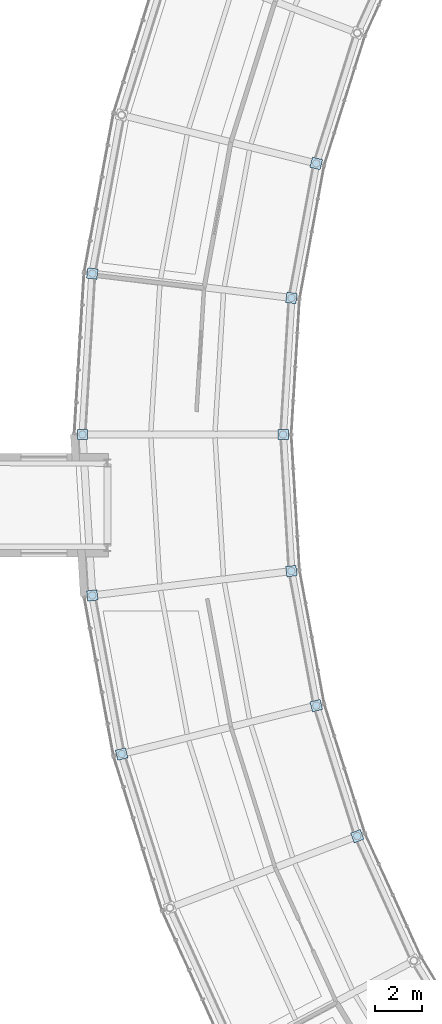
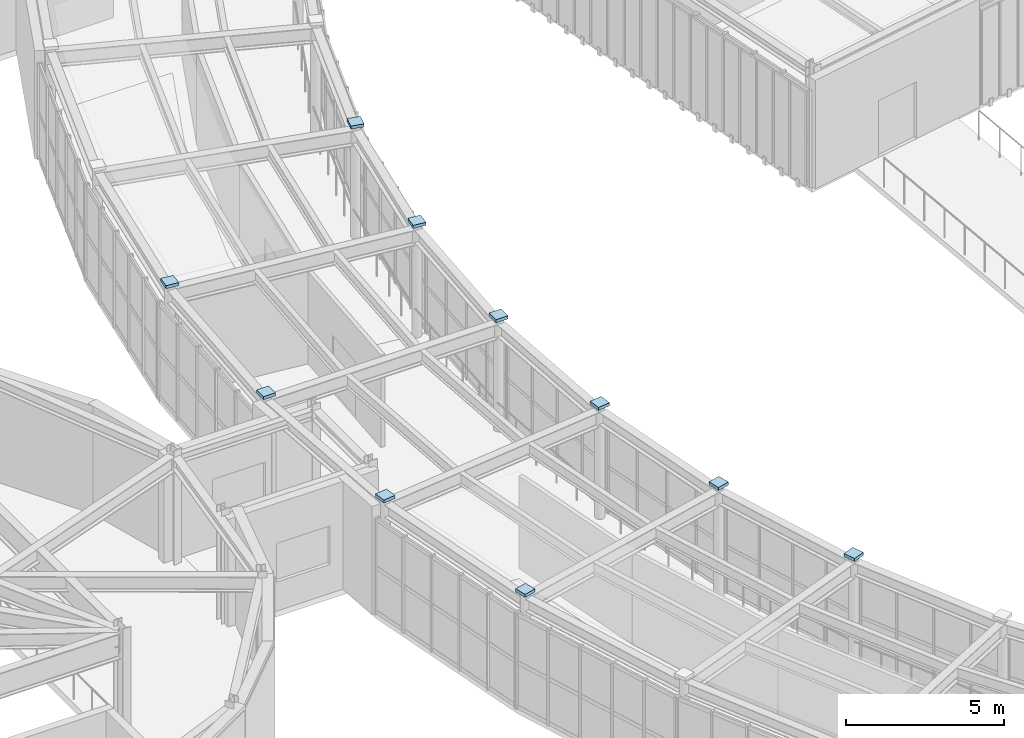
# One storey, part 71 of 103: 10 plates.
"""IFC4 building model written with IfcOpenShell, lengths in metres."""

from ifc_helpers import new_model, si_unit, direction, frame, origin, origin_2d, place, context, subcontext, project, spatial, rectangle, extrude, material, layer, layer_set, type_object, element, save


model = new_model("IFC4")

# Units and contexts
model_context = context("Model", 3, precision=1e-05, world=origin(), true_north=direction((0.0, 1.0)))
body_context = subcontext(model_context, "Body", "Model", "MODEL_VIEW")
ifc_project = project(units=[si_unit("LENGTHUNIT", "METRE"), si_unit("AREAUNIT", "SQUARE_METRE"), si_unit("VOLUMEUNIT", "CUBIC_METRE"), si_unit("PLANEANGLEUNIT", "RADIAN"), si_unit("MASSUNIT", "GRAM", prefix="KILO")], contexts=[model_context])

# Site, building, storey
site_placement = place(None, origin())
site = spatial("IfcSite", under=ifc_project, at=site_placement, CompositionType="ELEMENT")
building_placement = place(site_placement, origin())
building = spatial("IfcBuilding", under=site, at=building_placement, Name="Varnklinge Art Gallery", CompositionType="ELEMENT")
storey_placement = place(building_placement, frame((0.0, 0.0, 5.10009765625)))
storey = spatial("IfcBuildingStorey", under=building, at=storey_placement, Name="L01", CompositionType="ELEMENT", Elevation=5.10009765625)

# Plates
ifc_material = material(Name="Steel S355", Category="steel")
ifc_layer = layer(ifc_material, 0.159912109375)
ifc_layer_set = layer_set([ifc_layer], Name="Steel S355")
plate_type = type_object("IfcPlateType", Name="PLT-GP2", PredefinedType="USERDEFINED", material=ifc_layer_set)
for number, where, z_axis, x_axis, name in (
    (1, (49.667236328125, 66.511962890625, 4.31982421875), (0.0, 0.0, 1.0), (0.970506473469, -0.241075060833, 0.0), "L01 Hollow Column End Cap Plate V2CI-25"),
    (2, (40.157958984375, 61.83349609375, 4.31982421875), (0.0, 0.0, 1.0), (0.992588631597, -0.121522872021, 0.0), "L01 Hollow Column End Cap Plate V2CO-26"),
    (3, (48.612060546875, 60.798828125, 4.31982421875), (0.0, 0.0, 1.0), (0.992588631597, -0.121522872021, 0.0), "L01 Hollow Column End Cap Plate V2CI-26"),
    (4, (39.741455078125, 55.0, 4.31982421875), (0.0, 0.0, 1.0), (1.0, 0.0, 0.0), "L01 Hollow Column End Cap Plate V2CO-27"),
    (5, (48.258544921875, 55.0, 4.31982421875), (0.0, 0.0, 1.0), (1.0, 0.0, 0.0), "L01 Hollow Column End Cap Plate V2CI-27"),
    (6, (40.157958984375, 48.16650390625, 4.31982421875), (0.0, 0.0, 1.0), (0.992588631597, 0.121522872021, 0.0), "L01 Hollow Column End Cap Plate V2CO-28"),
    (7, (48.612060546875, 49.201171875, 4.31982421875), (0.0, 0.0, 1.0), (0.992588631597, 0.121522872021, 0.0), "L01 Hollow Column End Cap Plate V2CI-28"),
    (8, (41.401611328125, 41.43408203125, 4.31982421875), (0.0, 0.0, 1.0), (0.970506473469, 0.241075060833, 0.0), "L01 Hollow Column End Cap Plate V2CO-29"),
    (9, (49.667236328125, 43.488037109375, 4.31982421875), (0.0, 0.0, 1.0), (0.970506473469, 0.241075060833, 0.0), "L01 Hollow Column End Cap Plate V2CI-29"),
    (10, (51.40869140625, 37.9453125, 4.31982421875), (0.0, 0.0, 1.0), (0.934017558691, 0.357227098715, 0.0), "L01 Hollow Column End Cap Plate V2CI-30"),
):
    element("IfcPlate", number, at=place(storey_placement, frame(where, z_axis=z_axis, x_axis=x_axis)), inside=storey, type_object=plate_type, Name=name, ObjectType="GUSSET PLATE", PredefinedType="USERDEFINED", context=body_context, shape_type="SweptSolid", body=[
        extrude(rectangle(XDim=0.43994140625, YDim=0.43994140625, at=origin_2d()), origin(), (0.0, 0.0, 1.0), 0.1201171875),
    ])

save(model, "model.ifc")
